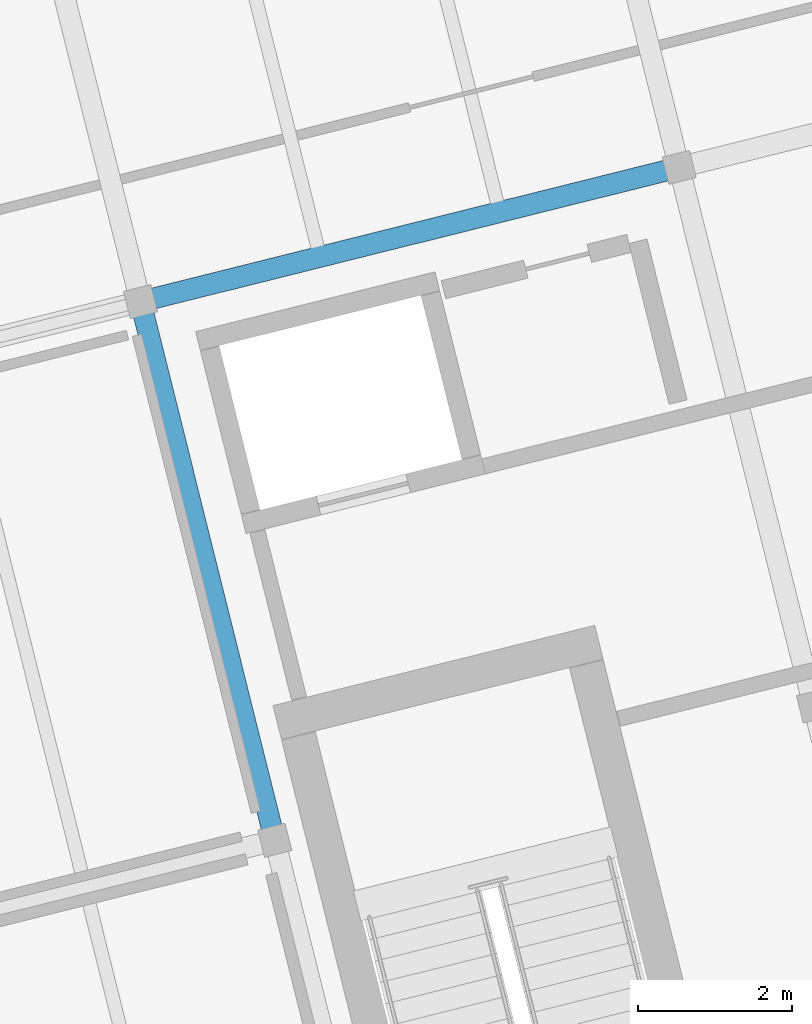
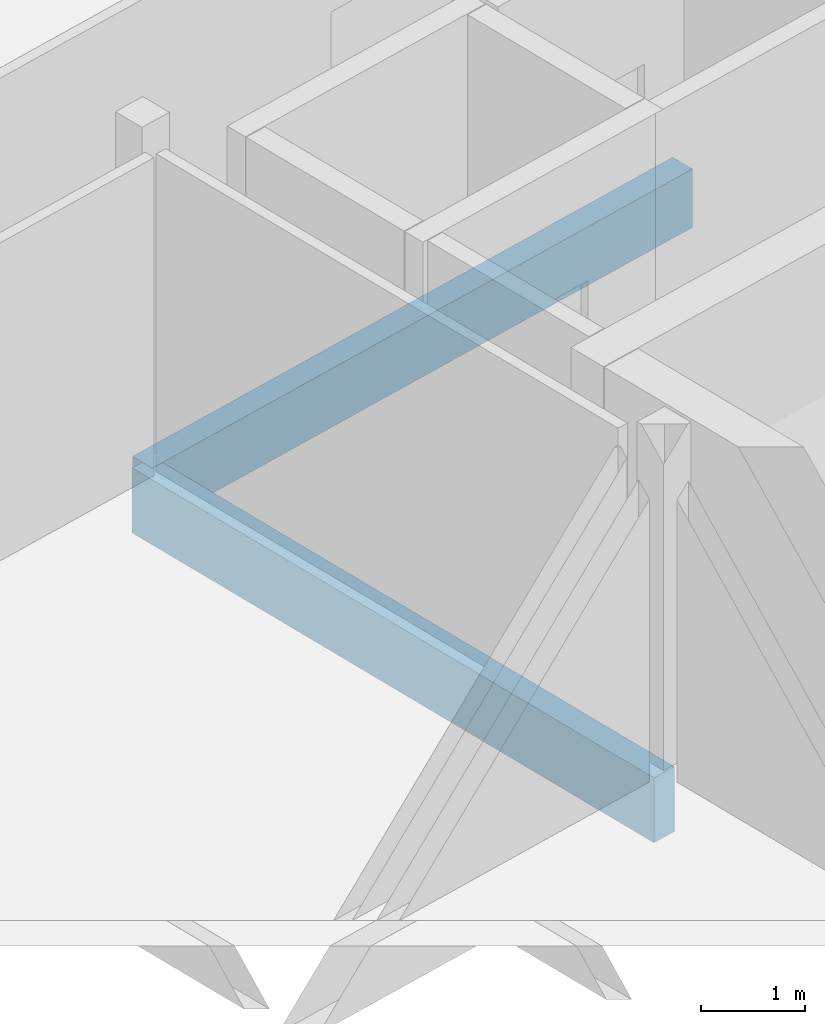
# One storey, part 9 of 28: 2 beams.
"""IFC4 building model written with IfcOpenShell, lengths in metres."""

from ifc_helpers import new_model, si_unit, direction, frame, origin, origin_2d, place, context, subcontext, project, spatial, rectangle, extrude, material, material_profile, profile_set, type_object, element, save


model = new_model("IFC4")

# Units and contexts
model_context = context("Model", 3, precision=1e-05, world=origin(), true_north=direction((0.0, 1.0)))
body_context = subcontext(model_context, "Body", "Model", "MODEL_VIEW")
ifc_project = project(units=[si_unit("LENGTHUNIT", "METRE"), si_unit("AREAUNIT", "SQUARE_METRE"), si_unit("VOLUMEUNIT", "CUBIC_METRE"), si_unit("PLANEANGLEUNIT", "RADIAN"), si_unit("MASSUNIT", "GRAM", prefix="KILO")], contexts=[model_context])

# Site, building, storey
site_placement = place(None, origin())
site = spatial("IfcSite", under=ifc_project, at=site_placement, CompositionType="ELEMENT")
building_placement = place(site_placement, origin())
building = spatial("IfcBuilding", under=site, at=building_placement, Name="Meriwether Solvik Hall", CompositionType="ELEMENT")
storey_placement = place(building_placement, frame((0.0, 0.0, 45.60009765625)))
storey = spatial("IfcBuildingStorey", under=building, at=storey_placement, Name="L11", CompositionType="ELEMENT", Elevation=45.60009765625)

# Beams
ifc_material_1 = material(Name="Glulam Douglas-Fir 24F-V8 GL28h", Category="wood")
ifc_material_profile_1 = material_profile(ifc_material_1, rectangle(XDim=0.27294921875, YDim=0.68505859375, at=origin_2d()), Name="GLB-273X685")
ifc_profile_set_1 = profile_set([ifc_material_profile_1], Name="Glulam Douglas-Fir 24F-V8 GL28h")
beam_type_1 = type_object("IfcBeamType", Name="BM-GL-273X685", PredefinedType="BEAM", material=ifc_profile_set_1)
beam_1_placement = place(storey_placement, frame((70.893798828125, 63.414794921875, -0.54248046875), z_axis=(0.970293896644, 0.241929233735, 0.0), x_axis=(-0.241929233735, 0.970293896644, 0.0)))
element("IfcBeam", 1, at=beam_1_placement, inside=storey, type_object=beam_type_1, Name="Tower Girder TD:T2-T3 (L11)", PredefinedType="BEAM", context=body_context, shape_type="SweptSolid", body=[
    extrude(rectangle(XDim=0.27294921875, YDim=0.68505859375, at=origin_2d()), origin(), (0.0, 0.0, 1.0), 7.2001953125),
])
ifc_material_2 = material(Name="Glulam Douglas-Fir 24F-V8 GL28h", Category="wood")
ifc_material_profile_2 = material_profile(ifc_material_2, rectangle(XDim=0.27294921875, YDim=0.760009765625, at=origin_2d()), Name="GLB-273X760")
ifc_profile_set_2 = profile_set([ifc_material_profile_2], Name="Glulam Douglas-Fir 24F-V8 GL28h")
beam_type_2 = type_object("IfcBeamType", Name="BM-GL-273X760", PredefinedType="BEAM", material=ifc_profile_set_2)
beam_2_placement = place(storey_placement, frame((72.6357421875, 56.4287109375, -0.580078125), z_axis=(-0.241937193493, 0.970291911955, 0.0), x_axis=(-0.970291911955, -0.241937193493, 0.0)))
element("IfcBeam", 2, at=beam_2_placement, inside=storey, type_object=beam_type_2, Name="Tower Girder T2:TC-TD (L11)", PredefinedType="BEAM", context=body_context, shape_type="SweptSolid", body=[
    extrude(rectangle(XDim=0.27294921875, YDim=0.760009765625, at=origin_2d()), origin(), (0.0, 0.0, 1.0), 7.199951171875),
])

save(model, "model.ifc")
